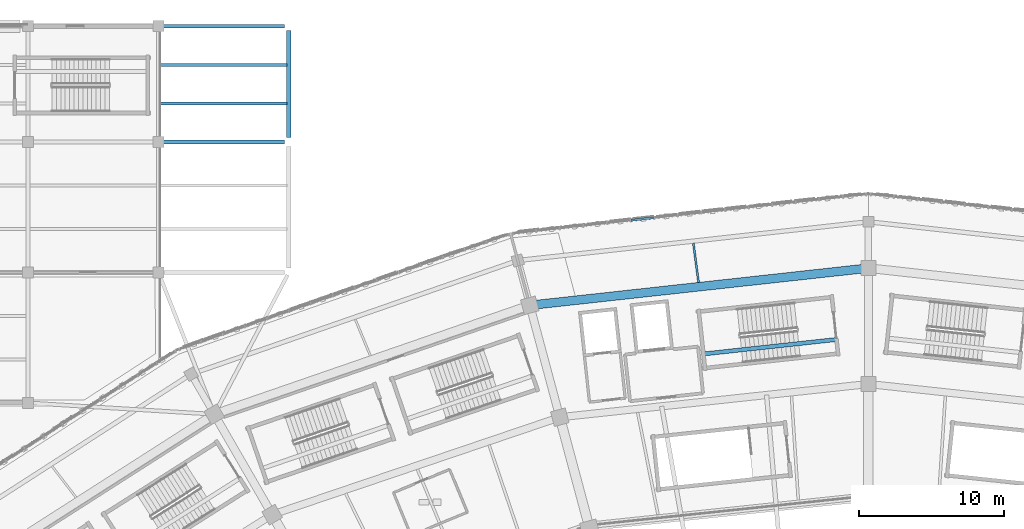
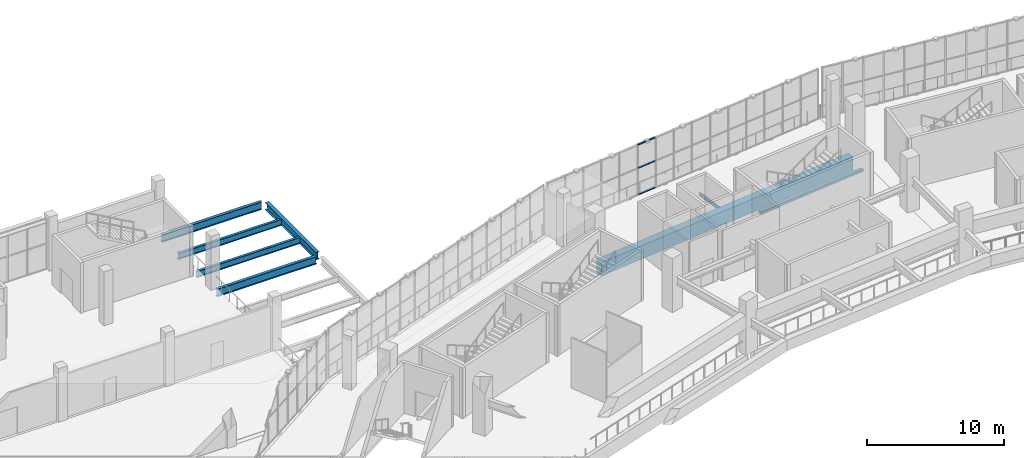
# One storey, part 60 of 179: 8 beams, 3 members, 1 element without a shape of its own.
"""IFC4 building model written with IfcOpenShell, lengths in metres."""

from ifc_helpers import new_model, si_unit, direction, frame, origin, origin_2d, place, context, subcontext, project, spatial, rectangle, i_section, extrude, material, material_profile, profile_set, type_object, element, aggregate, save


model = new_model("IFC4")

# Units and contexts
model_context = context("Model", 3, precision=1e-05, world=origin(), true_north=direction((0.0, 1.0)))
body_context = subcontext(model_context, "Body", "Model", "MODEL_VIEW")
ifc_project = project(units=[si_unit("LENGTHUNIT", "METRE"), si_unit("AREAUNIT", "SQUARE_METRE"), si_unit("VOLUMEUNIT", "CUBIC_METRE"), si_unit("PLANEANGLEUNIT", "RADIAN"), si_unit("MASSUNIT", "GRAM", prefix="KILO")], contexts=[model_context])

# Site, building, storey
site_placement = place(None, origin())
site = spatial("IfcSite", under=ifc_project, at=site_placement, CompositionType="ELEMENT")
building_placement = place(site_placement, origin())
building = spatial("IfcBuilding", under=site, at=building_placement, Name="Zevraka Park Crest Stadium", CompositionType="ELEMENT")
storey_placement = place(building_placement, frame((0.0, 0.0, 10.199951171875)))
storey = spatial("IfcBuildingStorey", under=building, at=storey_placement, Name="L02", CompositionType="ELEMENT", Elevation=10.199951171875)

# Beams
ifc_material_1 = material(Name="Steel S355", Category="steel")
ifc_material_profile_1 = material_profile(ifc_material_1, i_section(OverallWidth=0.253662109375, OverallDepth=0.68359375, WebThickness=0.012451171875, FlangeThickness=0.01904296875, at=origin_2d()), Name="UKB 686x254x140")
ifc_profile_set_1 = profile_set([ifc_material_profile_1], Name="Steel S355")
beam_type_1 = type_object("IfcBeamType", Name="BG05", PredefinedType="BEAM", material=ifc_profile_set_1)
for number, where, z_axis, x_axis, name in (
    (1, (63.300048828125, 176.0, -0.629638671875), (1.0, 0.0, 0.0), (0.0, 1.0, 0.0), "Wing Girder BG05 L02-89/V"),
    (2, (63.300048828125, 184.0, -0.629638671875), (1.0, 0.0, 0.0), (0.0, 1.0, 0.0), "Wing Girder BG05 L02-89/W"),
):
    element("IfcBeam", number, at=place(storey_placement, frame(where, z_axis=z_axis, x_axis=x_axis)), inside=storey, type_object=beam_type_1, Name=name, PredefinedType="BEAM", context=body_context, shape_type="SweptSolid", body=[
        extrude(i_section(OverallWidth=0.253662109375, OverallDepth=0.68359375, WebThickness=0.012451171875, FlangeThickness=0.01904296875, at=origin_2d()), origin(), (0.0, 0.0, 1.0), 8.39990234375),
    ])
ifc_material_2 = material(Name="Steel S355", Category="steel")
ifc_material_profile_2 = material_profile(ifc_material_2, i_section(OverallWidth=0.300048828125, OverallDepth=0.64990234375, WebThickness=0.01611328125, FlangeThickness=0.031005859375, at=origin_2d()), Name="HEB 650")
ifc_profile_set_2 = profile_set([ifc_material_profile_2], Name="Steel S355")
beam_type_2 = type_object("IfcBeamType", Name="BG07", PredefinedType="BEAM", material=ifc_profile_set_2)
beam_1_placement = place(storey_placement, frame((72.0, 176.300048828125, -0.613037109375), z_axis=(0.0, 1.0, 0.0), x_axis=(-1.0, 0.0, 0.0)))
element("IfcBeam", 3, at=beam_1_placement, inside=storey, type_object=beam_type_2, Name="Wing Girder BG07 L02-9/VW", PredefinedType="BEAM", context=body_context, shape_type="SweptSolid", body=[
    extrude(i_section(OverallWidth=0.300048828125, OverallDepth=0.64990234375, WebThickness=0.01611328125, FlangeThickness=0.031005859375, at=origin_2d()), origin(), (0.0, 0.0, 1.0), 7.39990234375),
])

# Curtain wall, members
ifc_material_3 = material(Name="Anodised architectural aluminium and laminated safety glass", Category="aluminium")
curtain_wall_type = type_object("IfcCurtainWallType", Name="CW06", PredefinedType="NOTDEFINED", material=ifc_material_3)
curtain_wall_placement = place(storey_placement, origin())
curtain_wall = element("IfcCurtainWall", 4, at=curtain_wall_placement, inside=storey, type_object=curtain_wall_type, Name="Unitised Ring Curtain Wall CW06 L02-06", PredefinedType="NOTDEFINED")
ifc_material_4 = material(Name="Anodised architectural aluminium", Category="aluminium")
ifc_material_profile_3 = material_profile(ifc_material_4, rectangle(XDim=0.14990234375, YDim=0.070068359375, at=origin_2d()), Name="ALU TRANSOM 150x70")
ifc_profile_set_3 = profile_set([ifc_material_profile_3], Name="Anodised architectural aluminium")
member_type = type_object("IfcMemberType", Name="CT03", PredefinedType="USERDEFINED", material=ifc_profile_set_3)
member_1_placement = place(storey_placement, frame((97.171875, 170.77392578125, 0.03515625), z_axis=(-0.993898902271, -0.110294932182, 0.0), x_axis=(0.110294932182, -0.993898902271, 0.0)))
member_1 = element("IfcMember", 5, at=member_1_placement, type_object=member_type, Name="CW06 transom 10.1", ObjectType="TRANSOM", PredefinedType="USERDEFINED", context=body_context, shape_type="SweptSolid", body=[
    extrude(rectangle(XDim=0.14990234375, YDim=0.070068359375, at=origin_2d()), origin(), (0.0, 0.0, 1.0), 1.5693359375),
])
member_2_placement = place(storey_placement, frame((97.171875, 170.77392578125, 2.400146484375), z_axis=(-0.993898902271, -0.110294932182, 0.0), x_axis=(0.110294932182, -0.993898902271, 0.0)))
member_2 = element("IfcMember", 6, at=member_2_placement, type_object=member_type, Name="CW06 transom 10.2", ObjectType="TRANSOM", PredefinedType="USERDEFINED", context=body_context, shape_type="SweptSolid", body=[
    extrude(rectangle(XDim=0.14990234375, YDim=0.070068359375, at=origin_2d()), origin(), (0.0, 0.0, 1.0), 1.5693359375),
])
member_3_placement = place(storey_placement, frame((97.171875, 170.77392578125, 4.465087890625), z_axis=(-0.993898902271, -0.110294932182, 0.0), x_axis=(0.110294932182, -0.993898902271, 0.0)))
member_3 = element("IfcMember", 7, at=member_3_placement, type_object=member_type, Name="CW06 transom 10.3", ObjectType="TRANSOM", PredefinedType="USERDEFINED", context=body_context, shape_type="SweptSolid", body=[
    extrude(rectangle(XDim=0.14990234375, YDim=0.070068359375, at=origin_2d()), origin(), (0.0, 0.0, 1.0), 1.5693359375),
])
aggregate(curtain_wall, [member_1, member_2, member_3])

# Beams
ifc_material_5 = material(Name="Concrete C40/50", Category="concrete")
ifc_material_profile_4 = material_profile(ifc_material_5, rectangle(XDim=0.60009765625, YDim=1.199951171875, at=origin_2d()), Name="RC 1200x600")
ifc_profile_set_4 = profile_set([ifc_material_profile_4], Name="Concrete C40/50")
beam_type_3 = type_object("IfcBeamType", Name="RB01", PredefinedType="BEAM", material=ifc_profile_set_4)
beam_2_placement = place(storey_placement, frame((111.6220703125, 167.259033203125, -0.60986328125), z_axis=(-0.994021150509, -0.109187693174, 0.0), x_axis=(0.109187693174, -0.994021150509, 0.0)))
element("IfcBeam", 8, at=beam_2_placement, inside=storey, type_object=beam_type_3, Name="Ring Beam RB01 L02-D-06", PredefinedType="BEAM", context=body_context, shape_type="SweptSolid", body=[
    extrude(rectangle(XDim=0.60009765625, YDim=1.199951171875, at=origin_2d()), origin(), (0.0, 0.0, 1.0), 22.7509765625),
])
ifc_material_6 = material(Name="Steel S355", Category="steel")
ifc_material_profile_5 = material_profile(ifc_material_6, i_section(OverallWidth=0.2099609375, OverallDepth=0.550048828125, WebThickness=0.010986328125, FlangeThickness=0.01708984375, at=origin_2d()), Name="IPE 550")
ifc_profile_set_5 = profile_set([ifc_material_profile_5], Name="Steel S355")
beam_type_4 = type_object("IfcBeamType", Name="SJ04", PredefinedType="JOIST", material=ifc_profile_set_5)
for number, where, z_axis, x_axis, name in (
    (9, (63.14501953125, 178.6669921875, -0.56494140625), (1.0, 0.0, 0.0), (0.0, 1.0, 0.0), "Wing Joist SJ04 L02-8/V-1"),
    (10, (63.14501953125, 181.3330078125, -0.56494140625), (1.0, 0.0, 0.0), (0.0, 1.0, 0.0), "Wing Joist SJ04 L02-8/V-2"),
):
    element("IfcBeam", number, at=place(storey_placement, frame(where, z_axis=z_axis, x_axis=x_axis)), inside=storey, type_object=beam_type_4, Name=name, PredefinedType="JOIST", context=body_context, shape_type="SweptSolid", body=[
        extrude(i_section(OverallWidth=0.2099609375, OverallDepth=0.550048828125, WebThickness=0.010986328125, FlangeThickness=0.01708984375, at=origin_2d()), origin(), (0.0, 0.0, 1.0), 8.7099609375),
    ])
ifc_material_7 = material(Name="Steel S355", Category="steel")
ifc_material_profile_6 = material_profile(ifc_material_7, i_section(OverallWidth=0.135009765625, OverallDepth=0.27001953125, WebThickness=0.006591796875, FlangeThickness=0.01025390625, at=origin_2d()), Name="IPE 270")
ifc_profile_set_6 = profile_set([ifc_material_profile_6], Name="Steel S355")
beam_type_5 = type_object("IfcBeamType", Name="SJ07", PredefinedType="JOIST", material=ifc_profile_set_6)
beam_3_placement = place(storey_placement, frame((100.27587890625, 166.30908203125, -0.4228515625), z_axis=(-0.13058389889, 0.991437262438, 0.0), x_axis=(-0.991437262438, -0.13058389889, 0.0)))
element("IfcBeam", 11, at=beam_3_placement, inside=storey, type_object=beam_type_5, Name="Floor Joist SJ07 L02-DE-06-1", PredefinedType="JOIST", context=body_context, shape_type="SweptSolid", body=[
    extrude(i_section(OverallWidth=0.135009765625, OverallDepth=0.27001953125, WebThickness=0.006591796875, FlangeThickness=0.01025390625, at=origin_2d()), origin(), (0.0, 0.0, 1.0), 2.7333984375),
])
ifc_material_8 = material(Name="Concrete C40/50", Category="concrete")
ifc_material_profile_7 = material_profile(ifc_material_8, rectangle(XDim=0.280029296875, YDim=0.199951171875, at=origin_2d()), Name="RC 200x280")
ifc_profile_set_7 = profile_set([ifc_material_profile_7], Name="Concrete C40/50")
beam_type_6 = type_object("IfcBeamType", Name="SJ13", PredefinedType="JOIST", material=ifc_profile_set_7)
beam_4_placement = place(storey_placement, frame((109.77197265625, 162.37158203125, 2.300048828125), z_axis=(-0.994127809114, -0.108212287404, 0.0), x_axis=(0.108212287404, -0.994127809114, 0.0)))
element("IfcBeam", 12, at=beam_4_placement, inside=storey, type_object=beam_type_6, Name="Stair Upper-Flight Longitudinal Stringer SJ13 ST07-L02", PredefinedType="JOIST", context=body_context, shape_type="SweptSolid", body=[
    extrude(rectangle(XDim=0.280029296875, YDim=0.199951171875, at=origin_2d()), origin(), (0.0, 0.0, 1.0), 9.25),
])

save(model, "model.ifc")
